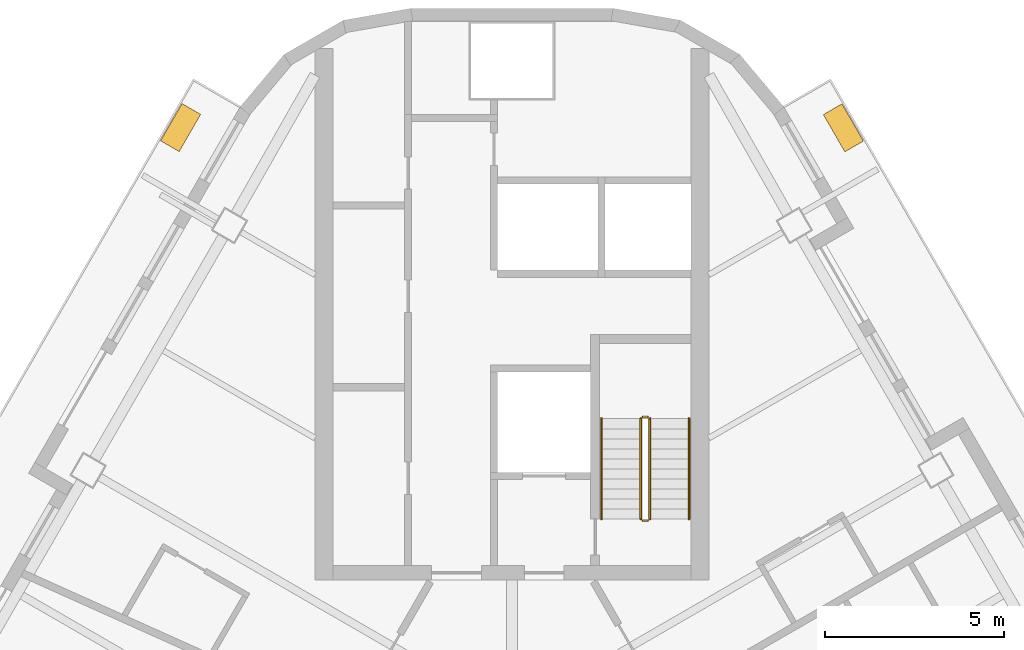
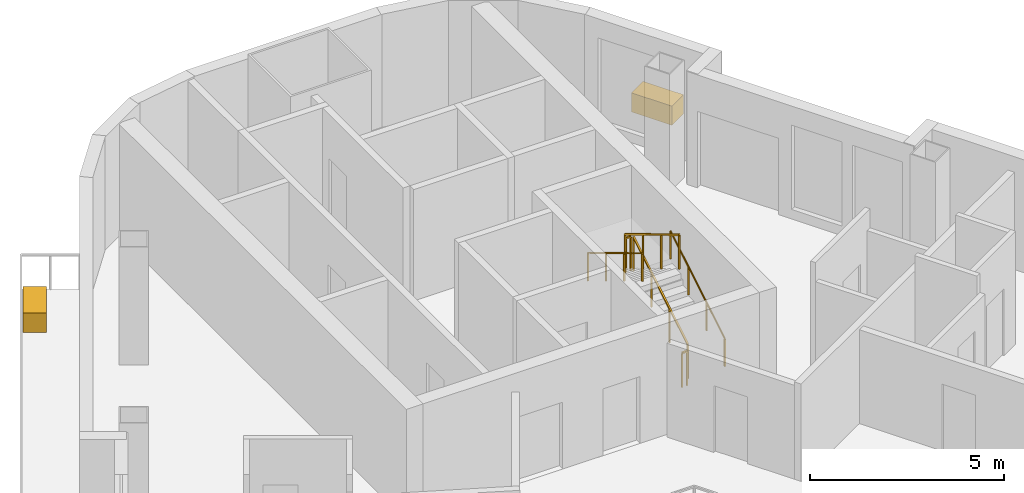
# One storey, part 14 of 14: 6 railings, 2 coverings.
"""IFC4 building model written with IfcOpenShell, lengths in metres."""

from ifc_helpers import new_model, si_unit, direction, frame, origin, origin_2d, place, context, subcontext, project, spatial, rectangle, circle, extrude, material, type_object, element, save


model = new_model("IFC4")

# Units and contexts
model_context = context("Model", 3, precision=1e-05, world=origin(), true_north=direction((0.0, 1.0)))
body_context = subcontext(model_context, "Body", "Model", "MODEL_VIEW")
ifc_project = project(units=[si_unit("LENGTHUNIT", "METRE"), si_unit("AREAUNIT", "SQUARE_METRE"), si_unit("VOLUMEUNIT", "CUBIC_METRE"), si_unit("PLANEANGLEUNIT", "RADIAN"), si_unit("MASSUNIT", "GRAM", prefix="KILO")], contexts=[model_context])

# Site, building, storey
site_placement = place(None, origin())
site = spatial("IfcSite", under=ifc_project, at=site_placement, CompositionType="ELEMENT")
building_placement = place(site_placement, origin())
building = spatial("IfcBuilding", under=site, at=building_placement, Name="Apuvela Tower Hotel", CompositionType="ELEMENT")
storey_placement = place(building_placement, frame((0.0, 0.0, 216.89990234375)))
storey = spatial("IfcBuildingStorey", under=building, at=storey_placement, Name="L53", CompositionType="ELEMENT", Elevation=216.89990234375)

# Railings
ifc_material_1 = material(Name="Steel S275 balustrade", Category="steel")
railing_type_1 = type_object("IfcRailingType", Name="COR-GUARD-1100", PredefinedType="GUARDRAIL", material=ifc_material_1)
railing_1_placement = place(storey_placement, frame((3.85009765625, 14.60009765625, 0.168212890625)))
element("IfcRailing", 1, at=railing_1_placement, inside=storey, type_object=railing_type_1, Name="L53 ST1 stair guard 1", PredefinedType="GUARDRAIL", context=body_context, shape_type="SweptSolid", body=[
    extrude(rectangle(XDim=0.048095703125, YDim=0.048095703125, at=origin_2d()), frame((0.0, 0.0, 1.076171875), z_axis=(0.0, 0.857222391501, 0.514946377315), x_axis=(-1.0, 0.0, 0.0)), (0.0, 0.0, 1.0), 3.26611328125),
    extrude(rectangle(XDim=0.0419921875, YDim=0.0419921875, at=origin_2d()), origin(), (0.0, 0.0, 1.0), 1.052001953125),
    extrude(rectangle(XDim=0.0419921875, YDim=0.0419921875, at=origin_2d()), frame((0.0, 0.933349609375, 0.560546875)), (0.0, 0.0, 1.0), 1.052001953125),
    extrude(rectangle(XDim=0.0419921875, YDim=0.0419921875, at=origin_2d()), frame((0.0, 1.866455078125, 1.121337890625)), (0.0, 0.0, 1.0), 1.052001953125),
    extrude(rectangle(XDim=0.0419921875, YDim=0.0419921875, at=origin_2d()), frame((0.0, 2.7998046875, 1.681884765625)), (0.0, 0.0, 1.0), 1.052001953125),
])
railing_2_placement = place(storey_placement, frame((3.800048828125, 17.449951171875, 1.85009765625)))
element("IfcRailing", 2, at=railing_2_placement, inside=storey, type_object=railing_type_1, Name="L53 ST1 stair guard 2", PredefinedType="GUARDRAIL", context=body_context, shape_type="SweptSolid", body=[
    extrude(rectangle(XDim=0.048095703125, YDim=0.048095703125, at=origin_2d()), frame((0.0, 0.0, 1.076171875), z_axis=(-1.0, 0.0, 0.0), x_axis=(0.0, -1.0, 0.0)), (0.0, 0.0, 1.0), 0.150146484375),
    extrude(rectangle(XDim=0.0419921875, YDim=0.0419921875, at=origin_2d()), origin(), (0.0, 0.0, 1.0), 1.052001953125),
    extrude(rectangle(XDim=0.0419921875, YDim=0.0419921875, at=origin_2d()), frame((-0.150146484375, 0.0, 0.0)), (0.0, 0.0, 1.0), 1.052001953125),
])
railing_3_placement = place(storey_placement, frame((3.60009765625, 17.39990234375, 2.018310546875)))
element("IfcRailing", 3, at=railing_3_placement, inside=storey, type_object=railing_type_1, Name="L53 ST1 stair guard 3", PredefinedType="GUARDRAIL", context=body_context, shape_type="SweptSolid", body=[
    extrude(rectangle(XDim=0.048095703125, YDim=0.048095703125, at=origin_2d()), frame((0.0, 0.0, 1.076171875), z_axis=(0.0, -0.857222391501, 0.514946377315), x_axis=(1.0, 0.0, 0.0)), (0.0, 0.0, 1.0), 3.26611328125),
    extrude(rectangle(XDim=0.0419921875, YDim=0.0419921875, at=origin_2d()), origin(), (0.0, 0.0, 1.0), 1.052001953125),
    extrude(rectangle(XDim=0.0419921875, YDim=0.0419921875, at=origin_2d()), frame((0.0, -0.933349609375, 0.560546875)), (0.0, 0.0, 1.0), 1.052001953125),
    extrude(rectangle(XDim=0.0419921875, YDim=0.0419921875, at=origin_2d()), frame((0.0, -1.866455078125, 1.121337890625)), (0.0, 0.0, 1.0), 1.052001953125),
    extrude(rectangle(XDim=0.0419921875, YDim=0.0419921875, at=origin_2d()), frame((0.0, -2.7998046875, 1.681884765625)), (0.0, 0.0, 1.0), 1.052001953125),
])
railing_4_placement = place(storey_placement, frame((3.800048828125, 14.550048828125, 0.0)))
element("IfcRailing", 4, at=railing_4_placement, inside=storey, type_object=railing_type_1, Name="L53 ST1 stair guard 4", PredefinedType="GUARDRAIL", context=body_context, shape_type="SweptSolid", body=[
    extrude(rectangle(XDim=0.048095703125, YDim=0.048095703125, at=origin_2d()), frame((0.0, 0.0, 1.076171875), z_axis=(-1.0, 0.0, 0.0), x_axis=(0.0, -1.0, 0.0)), (0.0, 0.0, 1.0), 0.150146484375),
    extrude(rectangle(XDim=0.0419921875, YDim=0.0419921875, at=origin_2d()), origin(), (0.0, 0.0, 1.0), 1.052001953125),
    extrude(rectangle(XDim=0.0419921875, YDim=0.0419921875, at=origin_2d()), frame((-0.150146484375, 0.0, 0.0)), (0.0, 0.0, 1.0), 1.052001953125),
])
ifc_material_2 = material(Name="Stainless steel 316 handrail", Category="steel")
railing_type_2 = type_object("IfcRailingType", Name="COR-HANDRAIL-900", PredefinedType="HANDRAIL", material=ifc_material_2)
railing_5_placement = place(storey_placement, frame((4.949951171875, 14.60009765625, 0.168212890625)))
element("IfcRailing", 5, at=railing_5_placement, inside=storey, type_object=railing_type_2, Name="L53 ST1 stair handrail 1", PredefinedType="HANDRAIL", context=body_context, shape_type="SweptSolid", body=[
    extrude(circle(Radius=0.02392578125, at=origin_2d()), frame((0.0, 0.0, 0.8759765625), z_axis=(0.0, 0.857222391501, 0.514946377315), x_axis=(-1.0, 0.0, 0.0)), (0.0, 0.0, 1.0), 3.26611328125),
    extrude(rectangle(XDim=0.0419921875, YDim=0.0419921875, at=origin_2d()), origin(), (0.0, 0.0, 1.0), 0.851806640625),
    extrude(rectangle(XDim=0.0419921875, YDim=0.0419921875, at=origin_2d()), frame((0.0, 0.933349609375, 0.560546875)), (0.0, 0.0, 1.0), 0.851806640625),
    extrude(rectangle(XDim=0.0419921875, YDim=0.0419921875, at=origin_2d()), frame((0.0, 1.866455078125, 1.121337890625)), (0.0, 0.0, 1.0), 0.851806640625),
    extrude(rectangle(XDim=0.0419921875, YDim=0.0419921875, at=origin_2d()), frame((0.0, 2.7998046875, 1.681884765625)), (0.0, 0.0, 1.0), 0.851806640625),
])
railing_6_placement = place(storey_placement, frame((2.5, 17.39990234375, 2.018310546875)))
element("IfcRailing", 6, at=railing_6_placement, inside=storey, type_object=railing_type_2, Name="L53 ST1 stair handrail 2", PredefinedType="HANDRAIL", context=body_context, shape_type="SweptSolid", body=[
    extrude(circle(Radius=0.02392578125, at=origin_2d()), frame((0.0, 0.0, 0.8759765625), z_axis=(0.0, -0.857222391501, 0.514946377315), x_axis=(1.0, 0.0, 0.0)), (0.0, 0.0, 1.0), 3.26611328125),
    extrude(rectangle(XDim=0.0419921875, YDim=0.0419921875, at=origin_2d()), origin(), (0.0, 0.0, 1.0), 0.851806640625),
    extrude(rectangle(XDim=0.0419921875, YDim=0.0419921875, at=origin_2d()), frame((0.0, -0.933349609375, 0.560546875)), (0.0, 0.0, 1.0), 0.851806640625),
    extrude(rectangle(XDim=0.0419921875, YDim=0.0419921875, at=origin_2d()), frame((0.0, -1.866455078125, 1.121337890625)), (0.0, 0.0, 1.0), 0.851806640625),
    extrude(rectangle(XDim=0.0419921875, YDim=0.0419921875, at=origin_2d()), frame((0.0, -2.7998046875, 1.681884765625)), (0.0, 0.0, 1.0), 0.851806640625),
])

# Coverings
ifc_material_3 = material(Name="Planting substrate and soil, planted")
covering_type = type_object("IfcCoveringType", Name="ENV-PLANTER-1200x600", PredefinedType="USERDEFINED", material=ifc_material_3)
for number, where, z_axis, x_axis, name in (
    (7, (9.2578125, 25.52490234375, 0.0), (0.0, 0.0, 1.0), (-0.5, 0.866025403784, 0.0), "Planter NE3"),
    (8, (-9.253662109375, 25.5322265625, 0.0), (0.0, 0.0, 1.0), (-0.5, -0.866025403784, 0.0), "Planter NW4"),
):
    element("IfcCovering", number, at=place(storey_placement, frame(where, z_axis=z_axis, x_axis=x_axis)), inside=storey, type_object=covering_type, Name=name, ObjectType="PLANTER", PredefinedType="USERDEFINED", context=body_context, shape_type="SweptSolid", body=[
        extrude(rectangle(XDim=1.199951171875, YDim=0.60009765625, at=origin_2d()), origin(), (0.0, 0.0, 1.0), 0.60009765625),
    ])

save(model, "model.ifc")
